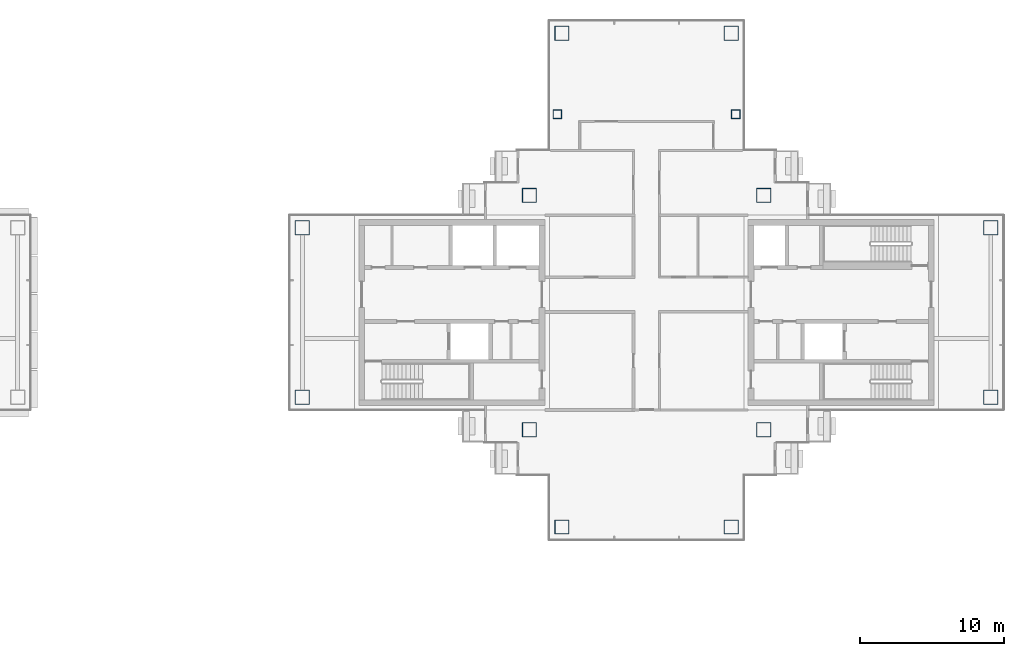
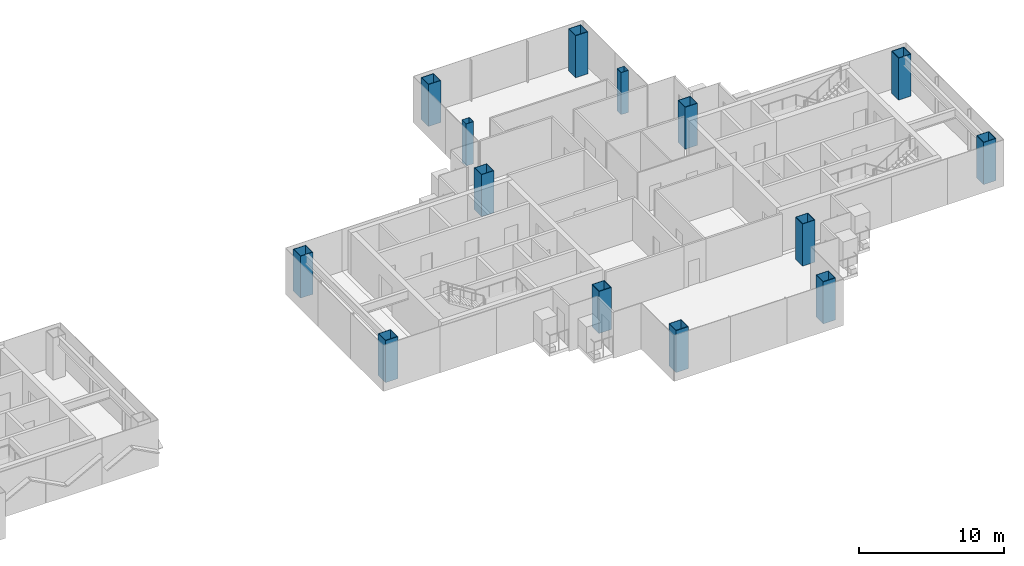
# One storey, part 2 of 17: 14 columns.
"""IFC4 building model written with IfcOpenShell, lengths in metres."""

from ifc_helpers import new_model, si_unit, direction, frame, origin, origin_2d, place, context, subcontext, project, spatial, hollow_rectangle, extrude, material, material_profile, profile_set, type_object, element, save


model = new_model("IFC4")

# Units and contexts
model_context = context("Model", 3, precision=1e-05, world=origin(), true_north=direction((0.0, 1.0)))
body_context = subcontext(model_context, "Body", "Model", "MODEL_VIEW")
ifc_project = project(units=[si_unit("LENGTHUNIT", "METRE"), si_unit("AREAUNIT", "SQUARE_METRE"), si_unit("VOLUMEUNIT", "CUBIC_METRE"), si_unit("PLANEANGLEUNIT", "RADIAN"), si_unit("MASSUNIT", "GRAM", prefix="KILO")], contexts=[model_context])

# Site, building, storey
site_placement = place(None, origin())
site = spatial("IfcSite", under=ifc_project, at=site_placement, CompositionType="ELEMENT")
building_placement = place(site_placement, origin())
building = spatial("IfcBuilding", under=site, at=building_placement, Name="Shamsa Quay Exchange Towers", CompositionType="ELEMENT")
storey_placement = place(building_placement, frame((0.0, 0.0, 198.300048828125)))
storey = spatial("IfcBuildingStorey", under=building, at=storey_placement, Name="L47", CompositionType="ELEMENT", Elevation=198.300048828125)

# Columns
ifc_material_1 = material(Name="Concrete-filled steel tube S355 / C80/95", Category="concrete")
ifc_material_profile_1 = material_profile(ifc_material_1, hollow_rectangle(XDim=1.0, YDim=1.0, WallThickness=0.0400390625, at=origin_2d()), Name="CFT 1000x1000x40")
ifc_profile_set_1 = profile_set([ifc_material_profile_1], Name="Concrete-filled steel tube S355 / C80/95")
column_type_1 = type_object("IfcColumnType", Name="Column CFT 1000x1000x40", PredefinedType="COLUMN", material=ifc_profile_set_1)
for number, where, name in (
    (1, (25.625, 8.125, 0.0), "Mega column T2-CM01"),
    (2, (41.875, 8.125, 0.0), "Mega column T2-CM02"),
    (3, (25.625, -8.125, 0.0), "Mega column T2-CM03"),
    (4, (41.875, -8.125, 0.0), "Mega column T2-CM04"),
    (5, (39.625, 19.375, 0.0), "Mega column T2-CM06"),
    (6, (27.875, 19.375, 0.0), "Mega column T2-CM10"),
    (7, (39.625, -14.875, 0.0), "Mega column T2-CM13"),
    (8, (27.875, -14.875, 0.0), "Mega column T2-CM16"),
    (9, (9.875, -5.875, 0.0), "Mega column T2-CM19"),
    (10, (9.875, 5.875, 0.0), "Mega column T2-CM20"),
    (11, (57.625, -5.875, 0.0), "Mega column T2-CM21"),
    (12, (57.625, 5.875, 0.0), "Mega column T2-CM23"),
):
    element("IfcColumn", number, at=place(storey_placement, frame(where)), inside=storey, type_object=column_type_1, Name=name, PredefinedType="COLUMN", context=body_context, shape_type="SweptSolid", body=[
        extrude(hollow_rectangle(XDim=1.0, YDim=1.0, WallThickness=0.0400390625, at=origin_2d()), origin(), (0.0, 0.0, 1.0), 3.550048828125),
    ])
ifc_material_2 = material(Name="Concrete-filled steel tube S355 / C60/75", Category="concrete")
ifc_material_profile_2 = material_profile(ifc_material_2, hollow_rectangle(XDim=0.60009765625, YDim=0.60009765625, WallThickness=0.02001953125, at=origin_2d()), Name="CFT 600x600x20")
ifc_profile_set_2 = profile_set([ifc_material_profile_2], Name="Concrete-filled steel tube S355 / C60/75")
column_type_2 = type_object("IfcColumnType", Name="Column CFT 600x600x20", PredefinedType="COLUMN", material=ifc_profile_set_2)
for number, where, name in (
    (13, (39.9375, 13.75, 0.0), "Perimeter column T2-CP05"),
    (14, (27.5625, 13.75, 0.0), "Perimeter column T2-CP09"),
):
    element("IfcColumn", number, at=place(storey_placement, frame(where)), inside=storey, type_object=column_type_2, Name=name, PredefinedType="COLUMN", context=body_context, shape_type="SweptSolid", body=[
        extrude(hollow_rectangle(XDim=0.60009765625, YDim=0.60009765625, WallThickness=0.02001953125, at=origin_2d()), origin(), (0.0, 0.0, 1.0), 3.550048828125),
    ])

save(model, "model.ifc")
